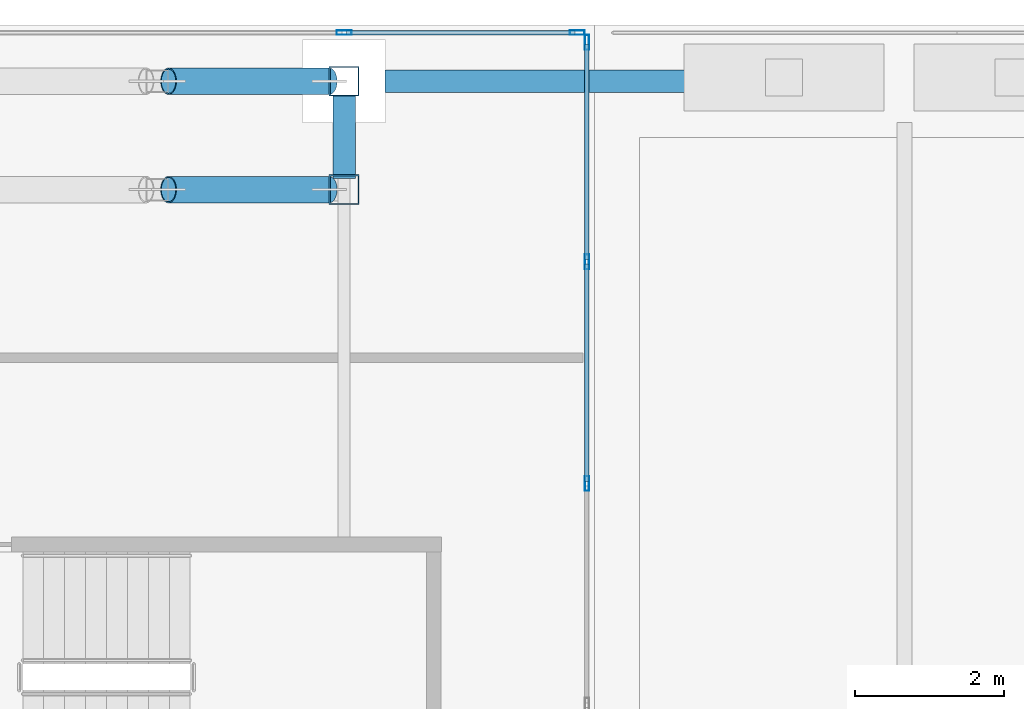
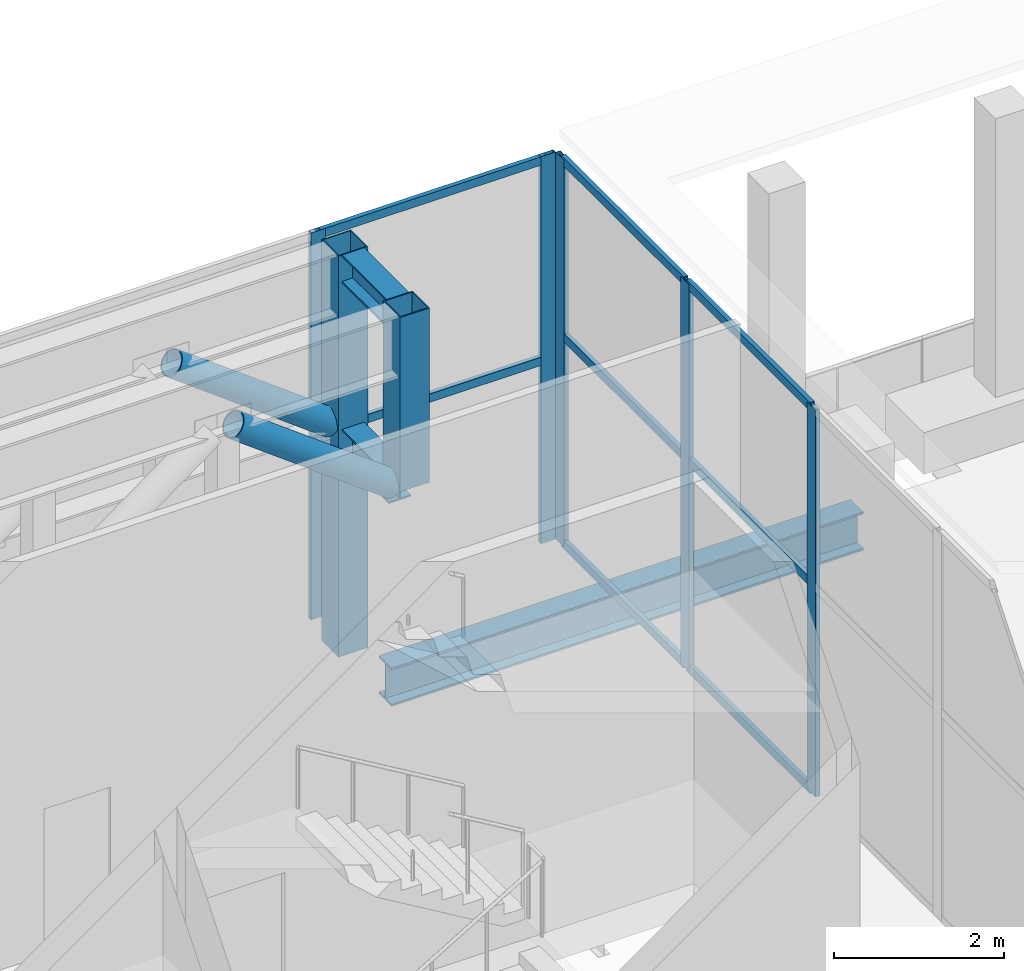
# One storey, part 23 of 47: 17 members, 3 beams, 2 elements without a shape of their own.
"""IFC4 building model written with IfcOpenShell, lengths in metres."""

from ifc_helpers import new_model, si_unit, direction, frame, origin, origin_2d, place, context, subcontext, project, spatial, hollow_rectangle, hollow_circle, i_section, extrude, source, transform, mapped, material, material_profile, profile_set, type_object, element, aggregate, save


model = new_model("IFC4")

# Units and contexts
model_context = context("Model", 3, precision=1e-05, world=origin(), true_north=direction((0.0, 1.0)))
body_context = subcontext(model_context, "Body", "Model", "MODEL_VIEW")
ifc_project = project(units=[si_unit("LENGTHUNIT", "METRE"), si_unit("AREAUNIT", "SQUARE_METRE"), si_unit("VOLUMEUNIT", "CUBIC_METRE"), si_unit("PLANEANGLEUNIT", "RADIAN"), si_unit("MASSUNIT", "GRAM", prefix="KILO")], contexts=[model_context])

# Site, building, storey
site_placement = place(None, origin())
site = spatial("IfcSite", under=ifc_project, at=site_placement, CompositionType="ELEMENT")
building_placement = place(site_placement, origin())
building = spatial("IfcBuilding", under=site, at=building_placement, Name="Khomas Fold Tower", CompositionType="ELEMENT")
storey_placement = place(building_placement, frame((0.0, 0.0, 158.699951171875)))
storey = spatial("IfcBuildingStorey", under=building, at=storey_placement, Name="L34", CompositionType="ELEMENT", Elevation=158.699951171875)

# Beam
ifc_material_1 = material(Name="Steel S355", Category="steel")
ifc_material_profile_1 = material_profile(ifc_material_1, i_section(OverallWidth=0.300048828125, OverallDepth=0.550048828125, WebThickness=0.014892578125, FlangeThickness=0.029052734375, at=origin_2d()), Name="HE 550 B")
ifc_profile_set_1 = profile_set([ifc_material_profile_1], Name="Steel S355")
beam_type_1 = type_object("IfcBeamType", Name="HE 550 B spandrel SB2", PredefinedType="SPANDREL", material=ifc_profile_set_1)
shared_shape_1 = source(origin(), body_context, "Body", "SweptSolid", [
    extrude(i_section(OverallWidth=0.300048828125, OverallDepth=0.550048828125, WebThickness=0.014892578125, FlangeThickness=0.029052734375, at=origin_2d()), origin(), (0.0, 0.0, 1.0), 6.39990234375),
])
beam_1_placement = place(storey_placement, frame((27.550048828125, 51.75, -0.724853515625), z_axis=(1.0, 0.0, 0.0), x_axis=(0.0, 1.0, 0.0)))
element("IfcBeam", 1, at=beam_1_placement, inside=storey, type_object=beam_type_1, Name="SB2", PredefinedType="SPANDREL", context=body_context, shape_type="MappedRepresentation", body=[
    mapped(shared_shape_1, transform((0.0, 0.0, 0.0))),
])

# Members
ifc_material_2 = material(Name="Steel S355", Category="steel")
ifc_material_profile_2 = material_profile(ifc_material_2, hollow_circle(Radius=0.177734375, WallThickness=0.01611328125, at=origin_2d()), Name="CHS 355.6x16")
ifc_profile_set_2 = profile_set([ifc_material_profile_2], Name="Steel S355")
member_type_1 = type_object("IfcMemberType", Name="BELT TRUSS 2 DIAGONAL CHS 355.6x16", PredefinedType="BRACE", material=ifc_profile_set_2)
shared_shape_2 = source(origin(), body_context, "Body", "SweptSolid", [
    extrude(hollow_circle(Radius=0.177734375, WallThickness=0.01611328125, at=origin_2d()), origin(), (0.0, 0.0, 1.0), 2.68603515625),
])
for number, where, z_axis, x_axis, name in (
    (2, (26.800048828125, 51.75, 3.2451171875), (-0.800490552016, 0.0, 0.599345372998), (0.0, -1.0, 0.0), "BT2-D"),
    (3, (26.800048828125, 50.300048828125, 3.2451171875), (-0.800490552016, 0.0, 0.599345372998), (0.0, -1.0, 0.0), "BT2-D"),
):
    element("IfcMember", number, at=place(storey_placement, frame(where, z_axis=z_axis, x_axis=x_axis)), inside=storey, type_object=member_type_1, Name=name, PredefinedType="BRACE", context=body_context, shape_type="MappedRepresentation", body=[
        mapped(shared_shape_2, transform((0.0, 0.0, 0.0))),
    ])
ifc_material_3 = material(Name="Steel S460M", Category="steel")
ifc_material_profile_3 = material_profile(ifc_material_3, hollow_rectangle(XDim=0.39990234375, YDim=0.39990234375, WallThickness=0.01611328125, at=origin_2d()), Name="SHS 400x400x16")
ifc_profile_set_3 = profile_set([ifc_material_profile_3], Name="Steel S460M")
member_type_2 = type_object("IfcMemberType", Name="BELT TRUSS 2 COLUMN POST SHS 400x400x16", PredefinedType="POST", material=ifc_profile_set_3)
shared_shape_3 = source(origin(), body_context, "Body", "SweptSolid", [
    extrude(hollow_rectangle(XDim=0.39990234375, YDim=0.39990234375, WallThickness=0.01611328125, at=origin_2d()), origin(), (0.0, 0.0, 1.0), 5.75),
])
member_1_placement = place(storey_placement, frame((27.0, 51.75, 0.0), z_axis=(0.0, 0.0, 1.0), x_axis=(1.0, 0.0, 0.0)))
element("IfcMember", 4, at=member_1_placement, inside=storey, type_object=member_type_2, Name="BT2-P", PredefinedType="POST", context=body_context, shape_type="MappedRepresentation", body=[
    mapped(shared_shape_3, transform((0.0, 0.0, 0.0))),
])
ifc_material_4 = material(Name="Steel S460M", Category="steel")
ifc_material_profile_4 = material_profile(ifc_material_4, hollow_rectangle(XDim=0.39990234375, YDim=0.39990234375, WallThickness=0.01611328125, at=origin_2d()), Name="SHS 400x400x16")
ifc_profile_set_4 = profile_set([ifc_material_profile_4], Name="Steel S460M")
member_type_3 = type_object("IfcMemberType", Name="BELT TRUSS 2 COLUMN POST SHORT SHS 400x400x16", PredefinedType="POST", material=ifc_profile_set_4)
shared_shape_4 = source(origin(), body_context, "Body", "SweptSolid", [
    extrude(hollow_rectangle(XDim=0.39990234375, YDim=0.39990234375, WallThickness=0.01611328125, at=origin_2d()), origin(), (0.0, 0.0, 1.0), 2.5),
])
member_2_placement = place(storey_placement, frame((27.0, 50.300048828125, 3.25), z_axis=(0.0, 0.0, 1.0), x_axis=(1.0, 0.0, 0.0)))
element("IfcMember", 5, at=member_2_placement, inside=storey, type_object=member_type_3, Name="BT2-PS", PredefinedType="POST", context=body_context, shape_type="MappedRepresentation", body=[
    mapped(shared_shape_4, transform((0.0, 0.0, 0.0))),
])

# Beams
ifc_material_5 = material(Name="Steel S355", Category="steel")
ifc_material_profile_5 = material_profile(ifc_material_5, i_section(OverallWidth=0.300048828125, OverallDepth=0.39990234375, WebThickness=0.013427734375, FlangeThickness=0.02392578125, at=origin_2d()), Name="HE 400 B")
ifc_profile_set_5 = profile_set([ifc_material_profile_5], Name="Steel S355")
beam_type_2 = type_object("IfcBeamType", Name="BELT TRUSS 2 TOP STRUT HE 400 B", PredefinedType="BEAM", material=ifc_profile_set_5)
shared_shape_5 = source(origin(), body_context, "Body", "SweptSolid", [
    extrude(i_section(OverallWidth=0.300048828125, OverallDepth=0.39990234375, WebThickness=0.013427734375, FlangeThickness=0.02392578125, at=origin_2d()), origin(), (0.0, 0.0, 1.0), 1.050048828125),
])
beam_2_placement = place(storey_placement, frame((27.0, 50.5, 5.550048828125), z_axis=(0.0, 1.0, 0.0), x_axis=(-1.0, 0.0, 0.0)))
element("IfcBeam", 6, at=beam_2_placement, inside=storey, type_object=beam_type_2, Name="BT2-ST", PredefinedType="BEAM", context=body_context, shape_type="MappedRepresentation", body=[
    mapped(shared_shape_5, transform((0.0, 0.0, 0.0))),
])
ifc_material_6 = material(Name="Steel S355", Category="steel")
ifc_material_profile_6 = material_profile(ifc_material_6, i_section(OverallWidth=0.300048828125, OverallDepth=0.39990234375, WebThickness=0.013427734375, FlangeThickness=0.02392578125, at=origin_2d()), Name="HE 400 B")
ifc_profile_set_6 = profile_set([ifc_material_profile_6], Name="Steel S355")
beam_type_3 = type_object("IfcBeamType", Name="BELT TRUSS 2 BOTTOM STRUT HE 400 B", PredefinedType="BEAM", material=ifc_profile_set_6)
shared_shape_6 = source(origin(), body_context, "Body", "SweptSolid", [
    extrude(i_section(OverallWidth=0.300048828125, OverallDepth=0.39990234375, WebThickness=0.013427734375, FlangeThickness=0.02392578125, at=origin_2d()), origin(), (0.0, 0.0, 1.0), 1.10009765625),
])
beam_3_placement = place(storey_placement, frame((27.0, 50.449951171875, 3.050048828125), z_axis=(0.0, 1.0, 0.0), x_axis=(-1.0, 0.0, 0.0)))
element("IfcBeam", 7, at=beam_3_placement, inside=storey, type_object=beam_type_3, Name="BT2-SB", PredefinedType="BEAM", context=body_context, shape_type="MappedRepresentation", body=[
    mapped(shared_shape_6, transform((0.0, 0.0, 0.0))),
])

# Curtain wall, members
ifc_material_7 = material(Name="Aluminium framed double glazing", Category="aluminium")
curtain_wall_type_1 = type_object("IfcCurtainWallType", Name="SK-Unitised clear-glass wall, growing floors CW1", PredefinedType="NOTDEFINED", material=ifc_material_7)
curtain_wall_1_placement = place(storey_placement, origin())
curtain_wall_1 = element("IfcCurtainWall", 8, at=curtain_wall_1_placement, inside=storey, type_object=curtain_wall_type_1, Name="CW1 run L34 15-0", PredefinedType="NOTDEFINED")
ifc_material_8 = material(Name="Aluminium", Category="aluminium")
ifc_material_profile_7 = material_profile(ifc_material_8, hollow_rectangle(XDim=0.06005859375, YDim=0.199951171875, WallThickness=0.00390625, at=origin_2d()), Name="SK-Unitised clear-glass wall, growing floors mullion CW1-M")
ifc_profile_set_7 = profile_set([ifc_material_profile_7], Name="Aluminium")
member_type_4 = type_object("IfcMemberType", Name="SK-Unitised clear-glass wall, growing floors mullion CW1-M", PredefinedType="MULLION", material=ifc_profile_set_7)
shared_shape_7 = source(origin(), body_context, "Body", "SweptSolid", [
    extrude(hollow_rectangle(XDim=0.06005859375, YDim=0.199951171875, WallThickness=0.00390625, at=origin_2d()), origin(), (0.0, 0.0, 1.0), 5.550048828125),
])
member_3_placement = place(storey_placement, frame((30.1201171875, 52.39990234375, 0.0), z_axis=(0.0, 0.0, 1.0), x_axis=(0.0, -1.0, 0.0)))
member_3 = element("IfcMember", 9, at=member_3_placement, type_object=member_type_4, Name="CW1 mullion 1", PredefinedType="MULLION", context=body_context, shape_type="MappedRepresentation", body=[
    mapped(shared_shape_7, transform((0.0, 0.0, 0.0))),
])
member_4_placement = place(storey_placement, frame((27.0, 52.39990234375, 0.0), z_axis=(0.0, 0.0, 1.0), x_axis=(0.0, -1.0, 0.0)))
member_4 = element("IfcMember", 10, at=member_4_placement, type_object=member_type_4, Name="CW1 mullion 2", PredefinedType="MULLION", context=body_context, shape_type="MappedRepresentation", body=[
    mapped(shared_shape_7, transform((0.0, 0.0, 0.0))),
])
ifc_material_9 = material(Name="Aluminium", Category="aluminium")
ifc_material_profile_8 = material_profile(ifc_material_9, hollow_rectangle(XDim=0.06005859375, YDim=0.1201171875, WallThickness=0.00390625, at=origin_2d()), Name="SK-Unitised clear-glass wall, growing floors transom CW1-T")
ifc_profile_set_8 = profile_set([ifc_material_profile_8], Name="Aluminium")
member_type_5 = type_object("IfcMemberType", Name="SK-Unitised clear-glass wall, growing floors transom CW1-T", PredefinedType="USERDEFINED", material=ifc_profile_set_8)
shared_shape_8 = source(origin(), body_context, "Body", "SweptSolid", [
    extrude(hollow_rectangle(XDim=0.06005859375, YDim=0.1201171875, WallThickness=0.00390625, at=origin_2d()), origin(), (0.0, 0.0, 1.0), 3.06005859375),
])
member_5_placement = place(storey_placement, frame((30.090087890625, 52.39990234375, 5.489990234375), z_axis=(-1.0, 0.0, 0.0), x_axis=(0.0, -1.0, 0.0)))
member_5 = element("IfcMember", 11, at=member_5_placement, type_object=member_type_5, Name="CW1 transom 1", ObjectType="TRANSOM", PredefinedType="USERDEFINED", context=body_context, shape_type="MappedRepresentation", body=[
    mapped(shared_shape_8, transform((0.0, 0.0, 0.0))),
])
member_6_placement = place(storey_placement, frame((30.090087890625, 52.39990234375, 2.6171875), z_axis=(-1.0, 0.0, 0.0), x_axis=(0.0, -1.0, 0.0)))
member_6 = element("IfcMember", 12, at=member_6_placement, type_object=member_type_5, Name="CW1 transom 1 (truss floor)", ObjectType="TRANSOM", PredefinedType="USERDEFINED", context=body_context, shape_type="MappedRepresentation", body=[
    mapped(shared_shape_8, transform((0.0, 0.0, 0.0))),
])
aggregate(curtain_wall_1, [member_3, member_4, member_5, member_6])

ifc_material_10 = material(Name="Aluminium framed double glazing", Category="aluminium")
curtain_wall_type_2 = type_object("IfcCurtainWallType", Name="Notch glazing GN-CW", PredefinedType="NOTDEFINED", material=ifc_material_10)
curtain_wall_2_placement = place(storey_placement, origin())
curtain_wall_2 = element("IfcCurtainWall", 13, at=curtain_wall_2_placement, inside=storey, type_object=curtain_wall_type_2, Name="Notch glazing run", PredefinedType="NOTDEFINED")
ifc_material_11 = material(Name="Aluminium", Category="aluminium")
ifc_material_profile_9 = material_profile(ifc_material_11, hollow_rectangle(XDim=0.06005859375, YDim=0.199951171875, WallThickness=0.00390625, at=origin_2d()), Name="Notch glazing mullion GN-CW-M")
ifc_profile_set_9 = profile_set([ifc_material_profile_9], Name="Aluminium")
member_type_6 = type_object("IfcMemberType", Name="Notch glazing mullion GN-CW-M", PredefinedType="MULLION", material=ifc_profile_set_9)
shared_shape_9 = source(origin(), body_context, "Body", "SweptSolid", [
    extrude(hollow_rectangle(XDim=0.06005859375, YDim=0.199951171875, WallThickness=0.00390625, at=origin_2d()), origin(), (0.0, 0.0, 1.0), 5.550048828125),
])
member_7_placement = place(storey_placement, frame((30.25, 46.36669921875, 0.0), z_axis=(0.0, 0.0, 1.0), x_axis=(-1.0, 0.0, 0.0)))
member_7 = element("IfcMember", 14, at=member_7_placement, type_object=member_type_6, Name="GN-CW mullion 5", PredefinedType="MULLION", context=body_context, shape_type="MappedRepresentation", body=[
    mapped(shared_shape_9, transform((0.0, 0.0, 0.0))),
])
member_8_placement = place(storey_placement, frame((30.25, 49.333251953125, 0.0), z_axis=(0.0, 0.0, 1.0), x_axis=(-1.0, 0.0, 0.0)))
member_8 = element("IfcMember", 15, at=member_8_placement, type_object=member_type_6, Name="GN-CW mullion 6", PredefinedType="MULLION", context=body_context, shape_type="MappedRepresentation", body=[
    mapped(shared_shape_9, transform((0.0, 0.0, 0.0))),
])
member_9_placement = place(storey_placement, frame((30.25, 52.27001953125, 0.0), z_axis=(0.0, 0.0, 1.0), x_axis=(-1.0, 0.0, 0.0)))
member_9 = element("IfcMember", 16, at=member_9_placement, type_object=member_type_6, Name="GN-CW mullion 7", PredefinedType="MULLION", context=body_context, shape_type="MappedRepresentation", body=[
    mapped(shared_shape_9, transform((0.0, 0.0, 0.0))),
])
ifc_material_12 = material(Name="Aluminium", Category="aluminium")
ifc_material_profile_10 = material_profile(ifc_material_12, hollow_rectangle(XDim=0.06005859375, YDim=0.1201171875, WallThickness=0.00390625, at=origin_2d()), Name="Notch glazing transom GN-CW-T")
ifc_profile_set_10 = profile_set([ifc_material_profile_10], Name="Aluminium")
member_type_7 = type_object("IfcMemberType", Name="Notch glazing transom GN-CW-T", PredefinedType="USERDEFINED", material=ifc_profile_set_10)
shared_shape_10 = source(origin(), body_context, "Body", "SweptSolid", [
    extrude(hollow_rectangle(XDim=0.06005859375, YDim=0.1201171875, WallThickness=0.00390625, at=origin_2d()), origin(), (0.0, 0.0, 1.0), 2.876708984375),
])
member_10_placement = place(storey_placement, frame((30.25, 49.36328125, 0.030029296875), z_axis=(0.0, 1.0, 0.0), x_axis=(-1.0, 0.0, 0.0)))
member_10 = element("IfcMember", 17, at=member_10_placement, type_object=member_type_7, Name="GN-CW transom 6.1", ObjectType="TRANSOM", PredefinedType="USERDEFINED", context=body_context, shape_type="MappedRepresentation", body=[
    mapped(shared_shape_10, transform((0.0, 0.0, 0.0))),
])
member_11_placement = place(storey_placement, frame((30.25, 49.36328125, 3.0), z_axis=(0.0, 1.0, 0.0), x_axis=(-1.0, 0.0, 0.0)))
member_11 = element("IfcMember", 18, at=member_11_placement, type_object=member_type_7, Name="GN-CW transom 6.2", ObjectType="TRANSOM", PredefinedType="USERDEFINED", context=body_context, shape_type="MappedRepresentation", body=[
    mapped(shared_shape_10, transform((0.0, 0.0, 0.0))),
])
member_12_placement = place(storey_placement, frame((30.25, 49.36328125, 5.52001953125), z_axis=(0.0, 1.0, 0.0), x_axis=(-1.0, 0.0, 0.0)))
member_12 = element("IfcMember", 19, at=member_12_placement, type_object=member_type_7, Name="GN-CW transom 6.3", ObjectType="TRANSOM", PredefinedType="USERDEFINED", context=body_context, shape_type="MappedRepresentation", body=[
    mapped(shared_shape_10, transform((0.0, 0.0, 0.0))),
])
shared_shape_11 = source(origin(), body_context, "Body", "SweptSolid", [
    extrude(hollow_rectangle(XDim=0.06005859375, YDim=0.1201171875, WallThickness=0.00390625, at=origin_2d()), origin(), (0.0, 0.0, 1.0), 2.906494140625),
])
member_13_placement = place(storey_placement, frame((30.25, 46.396728515625, 0.030029296875), z_axis=(0.0, 1.0, 0.0), x_axis=(-1.0, 0.0, 0.0)))
member_13 = element("IfcMember", 20, at=member_13_placement, type_object=member_type_7, Name="GN-CW transom 5.1", ObjectType="TRANSOM", PredefinedType="USERDEFINED", context=body_context, shape_type="MappedRepresentation", body=[
    mapped(shared_shape_11, transform((0.0, 0.0, 0.0))),
])
member_14_placement = place(storey_placement, frame((30.25, 46.396728515625, 3.0), z_axis=(0.0, 1.0, 0.0), x_axis=(-1.0, 0.0, 0.0)))
member_14 = element("IfcMember", 21, at=member_14_placement, type_object=member_type_7, Name="GN-CW transom 5.2", ObjectType="TRANSOM", PredefinedType="USERDEFINED", context=body_context, shape_type="MappedRepresentation", body=[
    mapped(shared_shape_11, transform((0.0, 0.0, 0.0))),
])
member_15_placement = place(storey_placement, frame((30.25, 46.396728515625, 5.52001953125), z_axis=(0.0, 1.0, 0.0), x_axis=(-1.0, 0.0, 0.0)))
member_15 = element("IfcMember", 22, at=member_15_placement, type_object=member_type_7, Name="GN-CW transom 5.3", ObjectType="TRANSOM", PredefinedType="USERDEFINED", context=body_context, shape_type="MappedRepresentation", body=[
    mapped(shared_shape_11, transform((0.0, 0.0, 0.0))),
])
aggregate(curtain_wall_2, [member_7, member_8, member_9, member_13, member_14, member_15, member_10, member_11, member_12])

save(model, "model.ifc")
